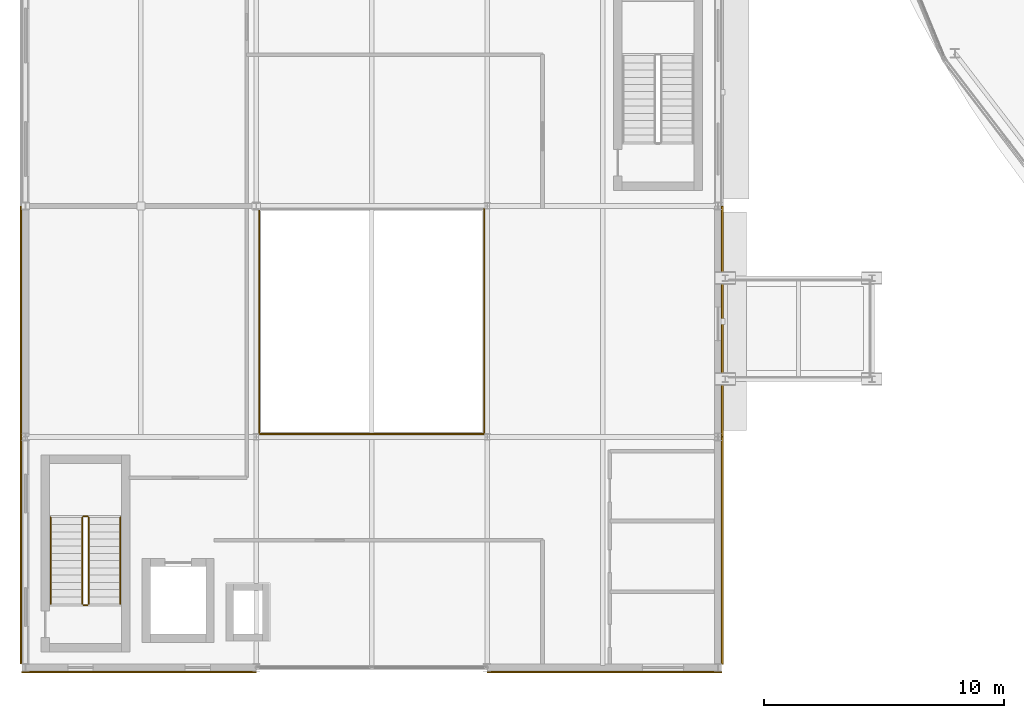
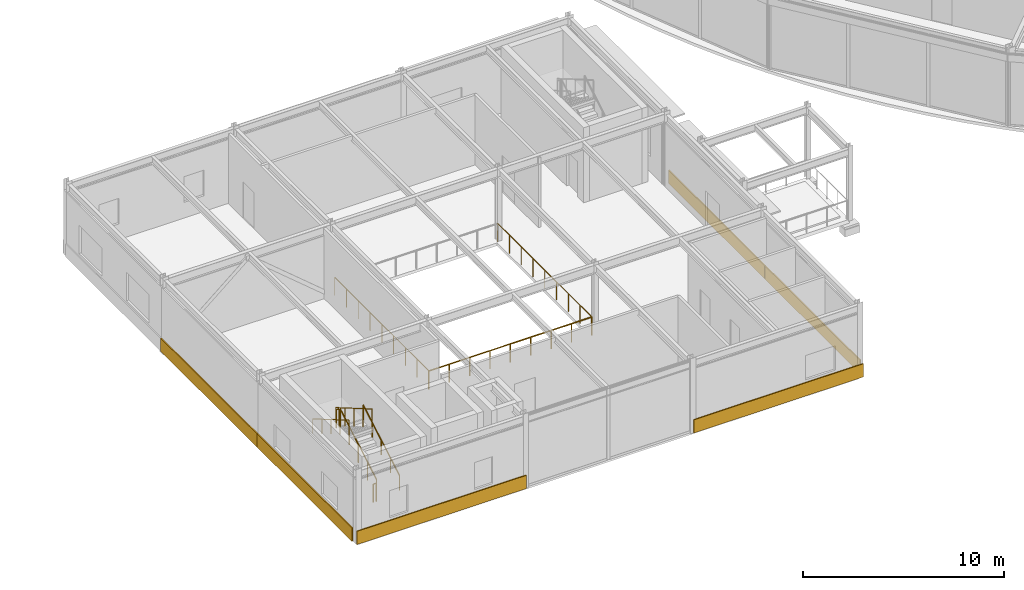
# One storey, part 135 of 157: 9 railings, 6 coverings.
"""IFC4 building model written with IfcOpenShell, lengths in metres."""

from ifc_helpers import new_model, si_unit, direction, frame, origin, origin_2d, place, context, subcontext, project, spatial, rectangle, circle, extrude, material, layer, layer_set, type_object, element, save


model = new_model("IFC4")

# Units and contexts
model_context = context("Model", 3, precision=1e-05, world=origin(), true_north=direction((0.0, 1.0)))
body_context = subcontext(model_context, "Body", "Model", "MODEL_VIEW")
ifc_project = project(units=[si_unit("LENGTHUNIT", "METRE"), si_unit("AREAUNIT", "SQUARE_METRE"), si_unit("VOLUMEUNIT", "CUBIC_METRE"), si_unit("PLANEANGLEUNIT", "RADIAN"), si_unit("MASSUNIT", "GRAM", prefix="KILO")], contexts=[model_context])

# Site, building, storey
site_placement = place(None, origin())
site = spatial("IfcSite", under=ifc_project, at=site_placement, CompositionType="ELEMENT")
building_placement = place(site_placement, origin())
building = spatial("IfcBuilding", under=site, at=building_placement, Name="Almandine Court Research Institute", CompositionType="ELEMENT")
storey_placement = place(building_placement, frame((0.0, 0.0, 5.25)))
storey = spatial("IfcBuildingStorey", under=building, at=storey_placement, Name="L01", CompositionType="ELEMENT", Elevation=5.25)

# Coverings
ifc_material_1 = material(Name="Honed Andean Red-Buff Sandstone Cladding", Category="masonry")
ifc_layer = layer(ifc_material_1, 0.06494140625)
ifc_layer_set = layer_set([ifc_layer], Name="Honed Andean Red-Buff Sandstone Cladding")
covering_type = type_object("IfcCoveringType", Name="Cov-CLAD-SAND", PredefinedType="CLADDING", material=ifc_layer_set)
covering_1_placement = place(storey_placement, frame((5.81396484375, 10.876953125, 0.02001953125), z_axis=(0.0, 0.0, 1.0), x_axis=(0.0, 1.0, 0.0)))
element("IfcCovering", 1, at=covering_1_placement, inside=storey, type_object=covering_type, Name="L01 Facade Spandrel Cladding Band 12", PredefinedType="CLADDING", context=body_context, shape_type="SweptSolid", body=[
    extrude(rectangle(XDim=9.43701171875, YDim=0.06494140625, at=origin_2d()), origin(), (0.0, 0.0, 1.0), 0.800048828125),
])
covering_2_placement = place(storey_placement, frame((5.81396484375, 20.39990234375, 0.02001953125), z_axis=(0.0, 0.0, 1.0), x_axis=(0.0, 1.0, 0.0)))
element("IfcCovering", 2, at=covering_2_placement, inside=storey, type_object=covering_type, Name="L01 Facade Spandrel Cladding Band 13", PredefinedType="CLADDING", context=body_context, shape_type="SweptSolid", body=[
    extrude(rectangle(XDim=9.592041015625, YDim=0.06494140625, at=origin_2d()), origin(), (0.0, 0.0, 1.0), 0.800048828125),
])
covering_3_placement = place(storey_placement, frame((34.97509765625, 10.873046875, 0.02001953125), z_axis=(0.0, 0.0, 1.0), x_axis=(0.0, -1.0, 0.0)))
element("IfcCovering", 3, at=covering_3_placement, inside=storey, type_object=covering_type, Name="L01 Facade Spandrel Cladding Band 18", PredefinedType="CLADDING", context=body_context, shape_type="SweptSolid", body=[
    extrude(rectangle(XDim=9.447021484375, YDim=0.06494140625, at=origin_2d()), origin(), (0.0, 0.0, 1.0), 0.800048828125),
])
covering_4_placement = place(storey_placement, frame((34.97509765625, 20.39990234375, 0.02001953125), z_axis=(0.0, 0.0, 1.0), x_axis=(0.0, -1.0, 0.0)))
element("IfcCovering", 4, at=covering_4_placement, inside=storey, type_object=covering_type, Name="L01 Facade Spandrel Cladding Band 19", PredefinedType="CLADDING", context=body_context, shape_type="SweptSolid", body=[
    extrude(rectangle(XDim=9.592041015625, YDim=0.06494140625, at=origin_2d()), origin(), (0.0, 0.0, 1.0), 0.800048828125),
])
for number, where, z_axis, x_axis, name in (
    (5, (10.72607421875, 5.824951171875, 0.02001953125), (0.0, 0.0, 1.0), (-1.0, 0.0, 0.0), "L01 Facade Spandrel Cladding Band 21"),
    (6, (30.074951171875, 5.824951171875, 0.02001953125), (0.0, 0.0, 1.0), (-1.0, 0.0, 0.0), "L01 Facade Spandrel Cladding Band 22"),
):
    element("IfcCovering", number, at=place(storey_placement, frame(where, z_axis=z_axis, x_axis=x_axis)), inside=storey, type_object=covering_type, Name=name, PredefinedType="CLADDING", context=body_context, shape_type="SweptSolid", body=[
        extrude(rectangle(XDim=9.740966796875, YDim=0.06494140625, at=origin_2d()), origin(), (0.0, 0.0, 1.0), 0.800048828125),
    ])

# Railings
ifc_material_2 = material(Name="Powder-Coated Steel Stair and Atrium Balustrade", Category="steel")
railing_type_1 = type_object("IfcRailingType", Name="Rail-GUARD-INT", PredefinedType="BALUSTRADE", material=ifc_material_2)
railing_1_placement = place(storey_placement, frame((8.6298828125, 8.64990234375, 0.175048828125)))
element("IfcRailing", 7, at=railing_1_placement, inside=storey, type_object=railing_type_1, Name="L01 ST-01 stair guard 1", PredefinedType="BALUSTRADE", context=body_context, shape_type="SweptSolid", body=[
    extrude(circle(Radius=0.02392578125, at=origin_2d()), frame((0.0, 0.0, 1.09619140625), z_axis=(0.0, 0.863800146258, 0.503834603144), x_axis=(-1.0, 0.0, 0.0)), (0.0, 0.0, 1.0), 4.167724609375),
    extrude(circle(Radius=0.02099609375, at=origin_2d()), origin(), (0.0, 0.0, 1.0), 1.072021484375),
    extrude(circle(Radius=0.02099609375, at=origin_2d()), frame((0.0, 0.89990234375, 0.52490234375)), (0.0, 0.0, 1.0), 1.072021484375),
    extrude(circle(Radius=0.02099609375, at=origin_2d()), frame((0.0, 1.800048828125, 1.0498046875)), (0.0, 0.0, 1.0), 1.072021484375),
    extrude(circle(Radius=0.02099609375, at=origin_2d()), frame((0.0, 2.7001953125, 1.574951171875)), (0.0, 0.0, 1.0), 1.072021484375),
    extrude(circle(Radius=0.02099609375, at=origin_2d()), frame((0.0, 3.60009765625, 2.099853515625)), (0.0, 0.0, 1.0), 1.072021484375),
])
railing_2_placement = place(storey_placement, frame((8.580078125, 12.300048828125, 2.27490234375)))
element("IfcRailing", 8, at=railing_2_placement, inside=storey, type_object=railing_type_1, Name="L01 ST-01 stair guard 2", PredefinedType="BALUSTRADE", context=body_context, shape_type="SweptSolid", body=[
    extrude(circle(Radius=0.02392578125, at=origin_2d()), frame((0.0, 0.0, 1.09619140625), z_axis=(-1.0, 0.0, 0.0), x_axis=(0.0, -1.0, 0.0)), (0.0, 0.0, 1.0), 0.16015625),
    extrude(circle(Radius=0.02099609375, at=origin_2d()), origin(), (0.0, 0.0, 1.0), 1.072021484375),
    extrude(circle(Radius=0.02099609375, at=origin_2d()), frame((-0.16015625, 0.0, 0.0)), (0.0, 0.0, 1.0), 1.072021484375),
])
railing_3_placement = place(storey_placement, frame((8.3701171875, 12.25, 2.449951171875)))
element("IfcRailing", 9, at=railing_3_placement, inside=storey, type_object=railing_type_1, Name="L01 ST-01 stair guard 3", PredefinedType="BALUSTRADE", context=body_context, shape_type="SweptSolid", body=[
    extrude(circle(Radius=0.02392578125, at=origin_2d()), frame((0.0, 0.0, 1.09619140625), z_axis=(0.0, -0.863774651768, 0.503878309678), x_axis=(1.0, 0.0, 0.0)), (0.0, 0.0, 1.0), 4.16796875),
    extrude(circle(Radius=0.02099609375, at=origin_2d()), origin(), (0.0, 0.0, 1.0), 1.072021484375),
    extrude(circle(Radius=0.02099609375, at=origin_2d()), frame((0.0, -0.89990234375, 0.52490234375)), (0.0, 0.0, 1.0), 1.072021484375),
    extrude(circle(Radius=0.02099609375, at=origin_2d()), frame((0.0, -1.800048828125, 1.050048828125)), (0.0, 0.0, 1.0), 1.072021484375),
    extrude(circle(Radius=0.02099609375, at=origin_2d()), frame((0.0, -2.7001953125, 1.5751953125)), (0.0, 0.0, 1.0), 1.072021484375),
    extrude(circle(Radius=0.02099609375, at=origin_2d()), frame((0.0, -3.60009765625, 2.10009765625)), (0.0, 0.0, 1.0), 1.072021484375),
])
railing_4_placement = place(storey_placement, frame((8.580078125, 8.60009765625, 0.0)))
element("IfcRailing", 10, at=railing_4_placement, inside=storey, type_object=railing_type_1, Name="L01 ST-01 stair guard 4", PredefinedType="BALUSTRADE", context=body_context, shape_type="SweptSolid", body=[
    extrude(circle(Radius=0.02392578125, at=origin_2d()), frame((0.0, 0.0, 1.09619140625), z_axis=(-1.0, 0.0, 0.0), x_axis=(0.0, -1.0, 0.0)), (0.0, 0.0, 1.0), 0.16015625),
    extrude(circle(Radius=0.02099609375, at=origin_2d()), origin(), (0.0, 0.0, 1.0), 1.072021484375),
    extrude(circle(Radius=0.02099609375, at=origin_2d()), frame((-0.16015625, 0.0, 0.0)), (0.0, 0.0, 1.0), 1.072021484375),
])
railing_5_placement = place(storey_placement, frame((15.719970703125, 15.719970703125, 0.0)))
element("IfcRailing", 11, at=railing_5_placement, inside=storey, type_object=railing_type_1, Name="L01 Lecture Bowl Overlook Balustrade 1", PredefinedType="BALUSTRADE", context=body_context, shape_type="SweptSolid", body=[
    extrude(circle(Radius=0.02392578125, at=origin_2d()), frame((0.0, 0.0, 1.09619140625), z_axis=(1.0, 0.0, 0.0), x_axis=(0.0, 1.0, 0.0)), (0.0, 0.0, 1.0), 9.360107421875),
    extrude(circle(Radius=0.02099609375, at=origin_2d()), origin(), (0.0, 0.0, 1.0), 1.072021484375),
    extrude(circle(Radius=0.02099609375, at=origin_2d()), frame((1.169921875, 0.0, 0.0)), (0.0, 0.0, 1.0), 1.072021484375),
    extrude(circle(Radius=0.02099609375, at=origin_2d()), frame((2.340087890625, 0.0, 0.0)), (0.0, 0.0, 1.0), 1.072021484375),
    extrude(circle(Radius=0.02099609375, at=origin_2d()), frame((3.510009765625, 0.0, 0.0)), (0.0, 0.0, 1.0), 1.072021484375),
    extrude(circle(Radius=0.02099609375, at=origin_2d()), frame((4.68017578125, 0.0, 0.0)), (0.0, 0.0, 1.0), 1.072021484375),
    extrude(circle(Radius=0.02099609375, at=origin_2d()), frame((5.85009765625, 0.0, 0.0)), (0.0, 0.0, 1.0), 1.072021484375),
    extrude(circle(Radius=0.02099609375, at=origin_2d()), frame((7.02001953125, 0.0, 0.0)), (0.0, 0.0, 1.0), 1.072021484375),
    extrude(circle(Radius=0.02099609375, at=origin_2d()), frame((8.190185546875, 0.0, 0.0)), (0.0, 0.0, 1.0), 1.072021484375),
    extrude(circle(Radius=0.02099609375, at=origin_2d()), frame((9.360107421875, 0.0, 0.0)), (0.0, 0.0, 1.0), 1.072021484375),
])
railing_6_placement = place(storey_placement, frame((25.080078125, 15.719970703125, 0.0)))
element("IfcRailing", 12, at=railing_6_placement, inside=storey, type_object=railing_type_1, Name="L01 Lecture Bowl Overlook Balustrade 2", PredefinedType="BALUSTRADE", context=body_context, shape_type="SweptSolid", body=[
    extrude(circle(Radius=0.02392578125, at=origin_2d()), frame((0.0, 0.0, 1.09619140625), z_axis=(0.0, 1.0, 0.0), x_axis=(-1.0, 0.0, 0.0)), (0.0, 0.0, 1.0), 9.360107421875),
    extrude(circle(Radius=0.02099609375, at=origin_2d()), origin(), (0.0, 0.0, 1.0), 1.072021484375),
    extrude(circle(Radius=0.02099609375, at=origin_2d()), frame((0.0, 1.169921875, 0.0)), (0.0, 0.0, 1.0), 1.072021484375),
    extrude(circle(Radius=0.02099609375, at=origin_2d()), frame((0.0, 2.340087890625, 0.0)), (0.0, 0.0, 1.0), 1.072021484375),
    extrude(circle(Radius=0.02099609375, at=origin_2d()), frame((0.0, 3.510009765625, 0.0)), (0.0, 0.0, 1.0), 1.072021484375),
    extrude(circle(Radius=0.02099609375, at=origin_2d()), frame((0.0, 4.68017578125, 0.0)), (0.0, 0.0, 1.0), 1.072021484375),
    extrude(circle(Radius=0.02099609375, at=origin_2d()), frame((0.0, 5.85009765625, 0.0)), (0.0, 0.0, 1.0), 1.072021484375),
    extrude(circle(Radius=0.02099609375, at=origin_2d()), frame((0.0, 7.02001953125, 0.0)), (0.0, 0.0, 1.0), 1.072021484375),
    extrude(circle(Radius=0.02099609375, at=origin_2d()), frame((0.0, 8.190185546875, 0.0)), (0.0, 0.0, 1.0), 1.072021484375),
    extrude(circle(Radius=0.02099609375, at=origin_2d()), frame((0.0, 9.360107421875, 0.0)), (0.0, 0.0, 1.0), 1.072021484375),
])
railing_7_placement = place(storey_placement, frame((15.719970703125, 25.080078125, 0.0)))
element("IfcRailing", 13, at=railing_7_placement, inside=storey, type_object=railing_type_1, Name="L01 Lecture Bowl Overlook Balustrade 4", PredefinedType="BALUSTRADE", context=body_context, shape_type="SweptSolid", body=[
    extrude(circle(Radius=0.02392578125, at=origin_2d()), frame((0.0, 0.0, 1.09619140625), z_axis=(0.0, -1.0, 0.0), x_axis=(1.0, 0.0, 0.0)), (0.0, 0.0, 1.0), 9.360107421875),
    extrude(circle(Radius=0.02099609375, at=origin_2d()), origin(), (0.0, 0.0, 1.0), 1.072021484375),
    extrude(circle(Radius=0.02099609375, at=origin_2d()), frame((0.0, -1.169921875, 0.0)), (0.0, 0.0, 1.0), 1.072021484375),
    extrude(circle(Radius=0.02099609375, at=origin_2d()), frame((0.0, -2.340087890625, 0.0)), (0.0, 0.0, 1.0), 1.072021484375),
    extrude(circle(Radius=0.02099609375, at=origin_2d()), frame((0.0, -3.510009765625, 0.0)), (0.0, 0.0, 1.0), 1.072021484375),
    extrude(circle(Radius=0.02099609375, at=origin_2d()), frame((0.0, -4.68017578125, 0.0)), (0.0, 0.0, 1.0), 1.072021484375),
    extrude(circle(Radius=0.02099609375, at=origin_2d()), frame((0.0, -5.85009765625, 0.0)), (0.0, 0.0, 1.0), 1.072021484375),
    extrude(circle(Radius=0.02099609375, at=origin_2d()), frame((0.0, -7.02001953125, 0.0)), (0.0, 0.0, 1.0), 1.072021484375),
    extrude(circle(Radius=0.02099609375, at=origin_2d()), frame((0.0, -8.190185546875, 0.0)), (0.0, 0.0, 1.0), 1.072021484375),
    extrude(circle(Radius=0.02099609375, at=origin_2d()), frame((0.0, -9.360107421875, 0.0)), (0.0, 0.0, 1.0), 1.072021484375),
])
ifc_material_3 = material(Name="Brushed Stainless Steel Wall Handrail", Category="steel")
railing_type_2 = type_object("IfcRailingType", Name="Rail-HAND-INT", PredefinedType="HANDRAIL", material=ifc_material_3)
railing_8_placement = place(storey_placement, frame((9.949951171875, 8.64990234375, 0.175048828125)))
element("IfcRailing", 14, at=railing_8_placement, inside=storey, type_object=railing_type_2, Name="L01 ST-01 stair handrail 1", PredefinedType="HANDRAIL", context=body_context, shape_type="SweptSolid", body=[
    extrude(circle(Radius=0.02392578125, at=origin_2d()), frame((0.0, 0.0, 0.8759765625), z_axis=(0.0, 0.863800146258, 0.503834603144), x_axis=(-1.0, 0.0, 0.0)), (0.0, 0.0, 1.0), 4.167724609375),
    extrude(circle(Radius=0.02099609375, at=origin_2d()), origin(), (0.0, 0.0, 1.0), 0.851806640625),
    extrude(circle(Radius=0.02099609375, at=origin_2d()), frame((0.0, 0.89990234375, 0.52490234375)), (0.0, 0.0, 1.0), 0.851806640625),
    extrude(circle(Radius=0.02099609375, at=origin_2d()), frame((0.0, 1.800048828125, 1.0498046875)), (0.0, 0.0, 1.0), 0.851806640625),
    extrude(circle(Radius=0.02099609375, at=origin_2d()), frame((0.0, 2.7001953125, 1.574951171875)), (0.0, 0.0, 1.0), 0.851806640625),
    extrude(circle(Radius=0.02099609375, at=origin_2d()), frame((0.0, 3.60009765625, 2.099853515625)), (0.0, 0.0, 1.0), 0.851806640625),
])
railing_9_placement = place(storey_placement, frame((7.050048828125, 12.25, 2.449951171875)))
element("IfcRailing", 15, at=railing_9_placement, inside=storey, type_object=railing_type_2, Name="L01 ST-01 stair handrail 2", PredefinedType="HANDRAIL", context=body_context, shape_type="SweptSolid", body=[
    extrude(circle(Radius=0.02392578125, at=origin_2d()), frame((0.0, 0.0, 0.8759765625), z_axis=(0.0, -0.863774651768, 0.503878309678), x_axis=(1.0, 0.0, 0.0)), (0.0, 0.0, 1.0), 4.16796875),
    extrude(circle(Radius=0.02099609375, at=origin_2d()), origin(), (0.0, 0.0, 1.0), 0.851806640625),
    extrude(circle(Radius=0.02099609375, at=origin_2d()), frame((0.0, -0.89990234375, 0.52490234375)), (0.0, 0.0, 1.0), 0.851806640625),
    extrude(circle(Radius=0.02099609375, at=origin_2d()), frame((0.0, -1.800048828125, 1.050048828125)), (0.0, 0.0, 1.0), 0.851806640625),
    extrude(circle(Radius=0.02099609375, at=origin_2d()), frame((0.0, -2.7001953125, 1.5751953125)), (0.0, 0.0, 1.0), 0.851806640625),
    extrude(circle(Radius=0.02099609375, at=origin_2d()), frame((0.0, -3.60009765625, 2.10009765625)), (0.0, 0.0, 1.0), 0.851806640625),
])

save(model, "model.ifc")
